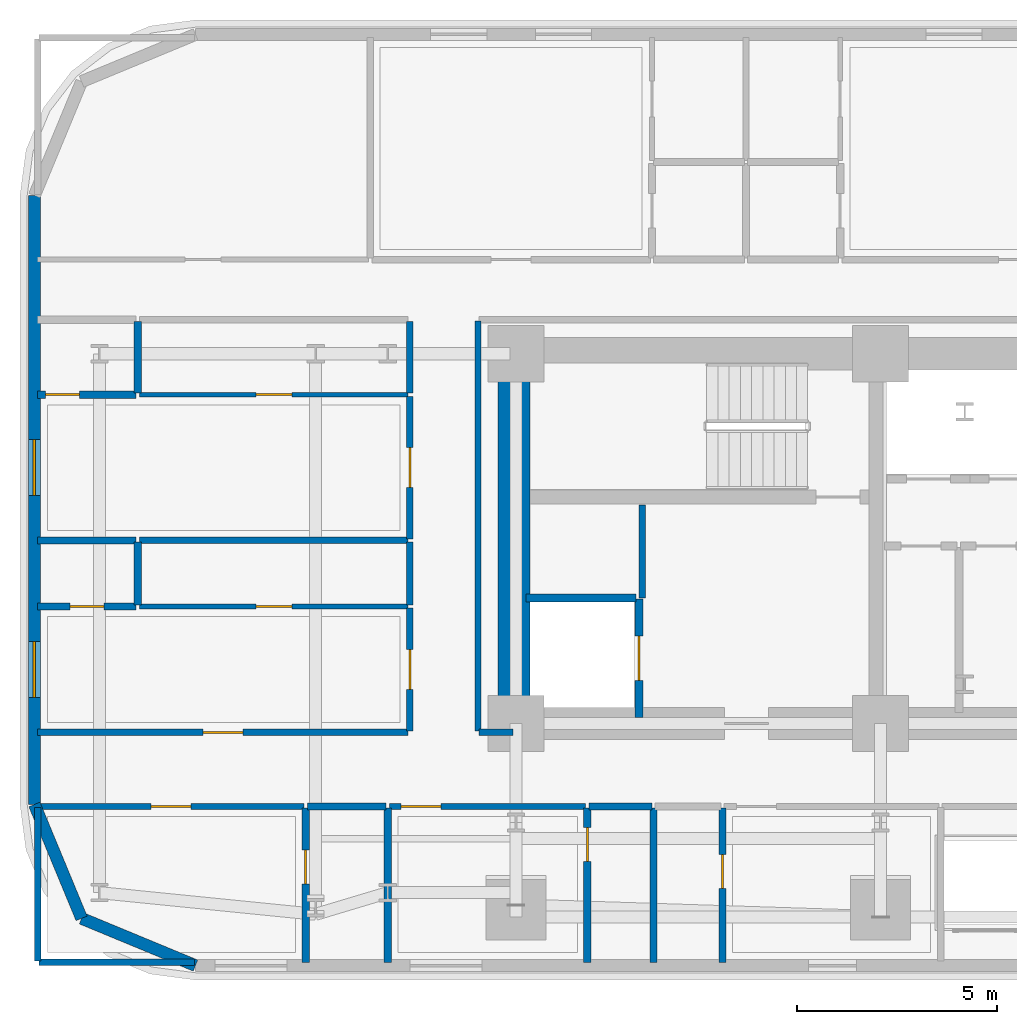
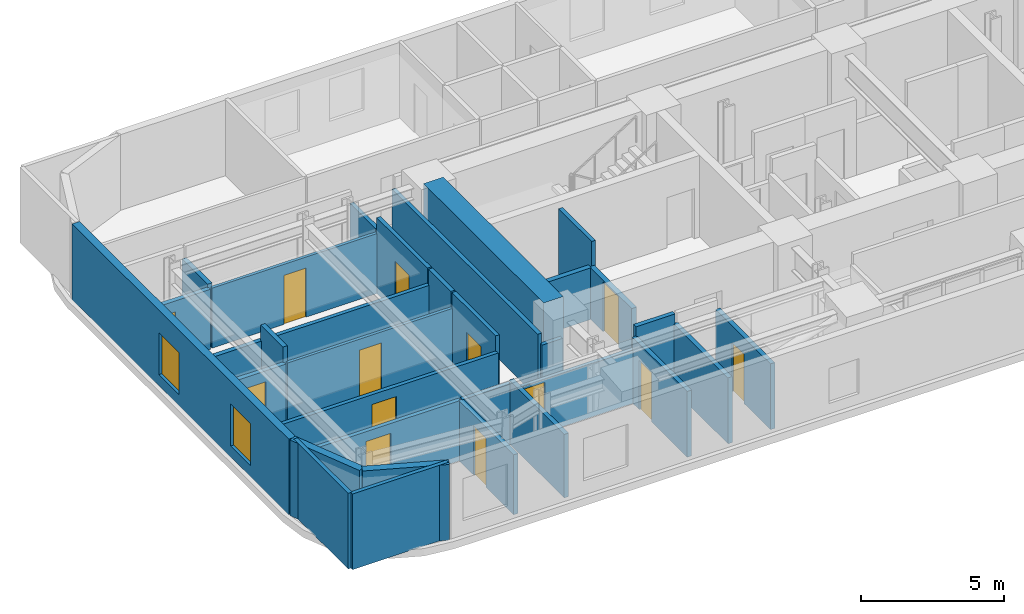
# One storey, part 7 of 16: 33 walls, 13 doors, 2 windows, 15 openings.
"""IFC4 building model written with IfcOpenShell, lengths in metres."""

from ifc_helpers import new_model, si_unit, direction, frame, frame_2d, origin, place, context, subcontext, project, spatial, rectangle, extrude, material, layer, layer_set, type_object, element, fill, save


model = new_model("IFC4")

# Units and contexts
model_context = context("Model", 3, precision=1e-05, world=origin(), true_north=direction((0.0, 1.0)))
body_context = subcontext(model_context, "Body", "Model", "MODEL_VIEW")
ifc_project = project(units=[si_unit("LENGTHUNIT", "METRE"), si_unit("AREAUNIT", "SQUARE_METRE"), si_unit("VOLUMEUNIT", "CUBIC_METRE"), si_unit("PLANEANGLEUNIT", "RADIAN"), si_unit("MASSUNIT", "GRAM", prefix="KILO")], contexts=[model_context])

# Site, building, storey
site_placement = place(None, origin())
site = spatial("IfcSite", under=ifc_project, at=site_placement, CompositionType="ELEMENT")
building_placement = place(site_placement, origin())
building = spatial("IfcBuilding", under=site, at=building_placement, Name="Zarnavel Station Tower", CompositionType="ELEMENT")
storey_placement = place(building_placement, frame((0.0, 0.0, 32.5)))
storey = spatial("IfcBuildingStorey", under=building, at=storey_placement, Name="L08", CompositionType="ELEMENT", Elevation=32.5)

# Wall
ifc_material_1 = material(Name="Concrete C60/75", Category="concrete")
ifc_layer_1 = layer(ifc_material_1, 0.800048828125)
ifc_layer_set_1 = layer_set([ifc_layer_1], Name="CW_800")
wall_type_1 = type_object("IfcWallType", Name="CW_800", PredefinedType="SHEAR", material=ifc_layer_set_1)
wall_1_placement = place(storey_placement, frame((12.14990234375, 28.219970703125, 0.0), z_axis=(0.0, 0.0, 1.0), x_axis=(0.0, 1.0, 0.0)))
element("IfcWall", 1, at=wall_1_placement, inside=storey, type_object=wall_type_1, Name="L08 Rear Core Shear Wall W", PredefinedType="SHEAR", context=body_context, shape_type="SweptSolid", body=[
    extrude(rectangle(XDim=8.429931640625, YDim=0.800048828125, at=frame_2d((4.21484375, 0.0))), origin(), (0.0, 0.0, 1.0), 3.5),
])

# Wall, openings, windows
ifc_material_2 = material(Name="Precast concrete C45/55 (Dark Basalt Finish)", Category="masonry")
ifc_layer_2 = layer(ifc_material_2, 0.300048828125)
ifc_layer_set_2 = layer_set([ifc_layer_2], Name="EW_BASALT_300")
wall_type_2 = type_object("IfcWallType", Name="EW_BASALT_300", PredefinedType="SOLIDWALL", material=ifc_layer_set_2)
wall_2_placement = place(storey_placement, frame((0.179931640625, 25.800048828125, 0.0), z_axis=(0.0, 0.0, 1.0), x_axis=(0.0, 1.0, 0.0)))
wall_2 = element("IfcWall", 2, at=wall_2_placement, inside=storey, type_object=wall_type_2, Name="L08 Exterior Basalt Masonry Frame Wall 09", PredefinedType="SOLIDWALL", context=body_context, shape_type="SweptSolid", body=[
    extrude(rectangle(XDim=15.199951171875, YDim=0.300048828125, at=frame_2d((7.60009765625, 0.0))), origin(), (0.0, 0.0, 1.0), 3.239990234375),
])
opening_1_placement = place(wall_2_placement, frame((2.67041015625, 0.0, 0.47998046875)))
opening_1 = element("IfcOpeningElement", 3, at=opening_1_placement, cuts=wall_2, Name="Opening WN01", PredefinedType="OPENING", context=body_context, shape_type="SweptSolid", body=[
    extrude(rectangle(XDim=1.39990234375, YDim=1.800048828125, at=frame_2d((0.699951171875, 0.89990234375))), frame((0.0, 0.159912109375, 0.0), z_axis=(0.0, -1.0, 0.0), x_axis=(1.0, 0.0, 0.0)), (0.0, 0.0, 1.0), 0.320068359375),
])
opening_2_placement = place(wall_2_placement, frame((7.708984375, 0.0, 0.47998046875)))
opening_2 = element("IfcOpeningElement", 4, at=opening_2_placement, cuts=wall_2, Name="Opening WN01", PredefinedType="OPENING", context=body_context, shape_type="SweptSolid", body=[
    extrude(rectangle(XDim=1.39990234375, YDim=1.800048828125, at=frame_2d((0.699951171875, 0.89990234375))), frame((0.0, 0.159912109375, 0.0), z_axis=(0.0, -1.0, 0.0), x_axis=(1.0, 0.0, 0.0)), (0.0, 0.0, 1.0), 0.320068359375),
])
ifc_material_3 = material(Name="Thermally Broken Black Aluminium and Low-E Dark Glass", Category="aluminium")
window_type = type_object("IfcWindowType", Name="WN_1400x1800", PartitioningType="DOUBLE_PANEL_VERTICAL", PredefinedType="WINDOW", material=ifc_material_3)
window_1_placement = place(opening_1_placement, origin())
window_1 = element("IfcWindow", 5, at=window_1_placement, inside=storey, type_object=window_type, Name="L08 Recessed Facade Window 01", OverallHeight=1.800048828125, OverallWidth=1.39990234375, PartitioningType="SINGLE_PANEL", PredefinedType="WINDOW", context=body_context, shape_type="SweptSolid", body=[
    extrude(rectangle(XDim=1.39990234375, YDim=1.800048828125, at=frame_2d((0.699951171875, 0.89990234375))), frame((0.0, 0.030029296875, 0.0), z_axis=(0.0, -1.0, 0.0), x_axis=(1.0, 0.0, 0.0)), (0.0, 0.0, 1.0), 0.06005859375),
])
fill(opening_1, window_1)
window_2_placement = place(opening_2_placement, origin())
window_2 = element("IfcWindow", 6, at=window_2_placement, inside=storey, type_object=window_type, Name="L08 Recessed Facade Window 02", OverallHeight=1.800048828125, OverallWidth=1.39990234375, PartitioningType="SINGLE_PANEL", PredefinedType="WINDOW", context=body_context, shape_type="SweptSolid", body=[
    extrude(rectangle(XDim=1.39990234375, YDim=1.800048828125, at=frame_2d((0.699951171875, 0.89990234375))), frame((0.0, 0.030029296875, 0.0), z_axis=(0.0, -1.0, 0.0), x_axis=(1.0, 0.0, 0.0)), (0.0, 0.0, 1.0), 0.06005859375),
])
fill(opening_2, window_2)

# Walls
for number, where, z_axis, x_axis, name in (
    (7, (1.357421875, 22.95751953125, 0.0), (0.0, 0.0, 1.0), (-0.382704529509, 0.923870793506, 0.0), "L08 Exterior Basalt Masonry Frame Wall 10"),
    (8, (4.199951171875, 21.780029296875, 0.0), (0.0, 0.0, 1.0), (-0.923870793506, 0.382704529509, 0.0), "L08 Exterior Basalt Masonry Frame Wall 11"),
):
    element("IfcWall", number, at=place(storey_placement, frame(where, z_axis=z_axis, x_axis=x_axis)), inside=storey, type_object=wall_type_2, Name=name, PredefinedType="SOLIDWALL", context=body_context, shape_type="SweptSolid", body=[
        extrude(rectangle(XDim=3.07666015625, YDim=0.300048828125, at=frame_2d((1.538330078125, 0.0))), origin(), (0.0, 0.0, 1.0), 3.239990234375),
    ])

# Wall, opening, door
ifc_material_4 = material(Name="Gypsum Twin-Stud Acoustic Fire Partition", Category="concrete")
ifc_layer_3 = layer(ifc_material_4, 0.159912109375)
ifc_layer_set_3 = layer_set([ifc_layer_3], Name="PT_DEMISE_160")
wall_type_3 = type_object("IfcWallType", Name="PT_DEMISE_160", PredefinedType="PARTITIONING", material=ifc_layer_set_3)
wall_3_placement = place(storey_placement, frame((0.260009765625, 27.60009765625, 0.0), z_axis=(0.0, 0.0, 1.0), x_axis=(1.0, 0.0, 0.0)))
wall_3 = element("IfcWall", 9, at=wall_3_placement, inside=storey, type_object=wall_type_3, Name="L08 Partition COR-S-FNW1R", PredefinedType="PARTITIONING", context=body_context, shape_type="SweptSolid", body=[
    extrude(rectangle(XDim=9.25, YDim=0.159912109375, at=frame_2d((4.625, 0.0))), origin(), (0.0, 0.0, 1.0), 2.570068359375),
])
opening_3_placement = place(wall_3_placement, frame((4.125, 0.0, 0.0)))
opening_3 = element("IfcOpeningElement", 10, at=opening_3_placement, cuts=wall_3, Name="Opening FD02", PredefinedType="OPENING", context=body_context, shape_type="SweptSolid", body=[
    extrude(rectangle(XDim=1.0, YDim=2.14990234375, at=frame_2d((0.5, 1.074951171875))), frame((0.0, 0.08984375, 0.0), z_axis=(0.0, -1.0, 0.0), x_axis=(1.0, 0.0, 0.0)), (0.0, 0.0, 1.0), 0.179931640625),
])
ifc_material_5 = material(Name="Painted Galvanised Steel and Hardwood Leaf", Category="steel")
door_type_1 = type_object("IfcDoorType", Name="ID_ENTRY_1000", OperationType="NOTDEFINED", PredefinedType="DOOR", material=ifc_material_5)
door_1_placement = place(opening_3_placement, origin())
door_1 = element("IfcDoor", 11, at=door_1_placement, inside=storey, type_object=door_type_1, Name="L08 Door COR-S-FNW1R", OperationType="SINGLE_SWING_LEFT", OverallHeight=2.14990234375, OverallWidth=1.0, PredefinedType="DOOR", context=body_context, shape_type="SweptSolid", body=[
    extrude(rectangle(XDim=1.0, YDim=2.14990234375, at=frame_2d((0.5, 1.074951171875))), frame((0.0, 0.02490234375, 0.0), z_axis=(0.0, -1.0, 0.0), x_axis=(1.0, 0.0, 0.0)), (0.0, 0.0, 1.0), 0.050048828125),
])
fill(opening_3, door_1)

wall_4_placement = place(storey_placement, frame((0.260009765625, 25.75, 0.0), z_axis=(0.0, 0.0, 1.0), x_axis=(1.0, 0.0, 0.0)))
wall_4 = element("IfcWall", 12, at=wall_4_placement, inside=storey, type_object=wall_type_3, Name="L08 Partition COR-S-HW1R", PredefinedType="PARTITIONING", context=body_context, shape_type="SweptSolid", body=[
    extrude(rectangle(XDim=6.64990234375, YDim=0.159912109375, at=frame_2d((3.324951171875, 0.0))), origin(), (0.0, 0.0, 1.0), 2.570068359375),
])
opening_4_placement = place(wall_4_placement, frame((2.824951171875, 0.0, 0.0)))
opening_4 = element("IfcOpeningElement", 13, at=opening_4_placement, cuts=wall_4, Name="Opening FD02", PredefinedType="OPENING", context=body_context, shape_type="SweptSolid", body=[
    extrude(rectangle(XDim=1.0, YDim=2.14990234375, at=frame_2d((0.5, 1.074951171875))), frame((0.0, 0.08984375, 0.0), z_axis=(0.0, -1.0, 0.0), x_axis=(1.0, 0.0, 0.0)), (0.0, 0.0, 1.0), 0.179931640625),
])
door_2_placement = place(opening_4_placement, origin())
door_2 = element("IfcDoor", 14, at=door_2_placement, inside=storey, type_object=door_type_1, Name="L08 Door COR-S-HW1R", OperationType="SINGLE_SWING_LEFT", OverallHeight=2.14990234375, OverallWidth=1.0, PredefinedType="DOOR", context=body_context, shape_type="SweptSolid", body=[
    extrude(rectangle(XDim=1.0, YDim=2.14990234375, at=frame_2d((0.5, 1.074951171875))), frame((0.0, 0.02490234375, 0.0), z_axis=(0.0, -1.0, 0.0), x_axis=(1.0, 0.0, 0.0)), (0.0, 0.0, 1.0), 0.050048828125),
])
fill(opening_4, door_2)

wall_5_placement = place(storey_placement, frame((9.0400390625, 25.75, 0.0), z_axis=(0.0, 0.0, 1.0), x_axis=(1.0, 0.0, 0.0)))
wall_5 = element("IfcWall", 15, at=wall_5_placement, inside=storey, type_object=wall_type_3, Name="L08 Partition COR-S-HW2R", PredefinedType="PARTITIONING", context=body_context, shape_type="SweptSolid", body=[
    extrude(rectangle(XDim=4.89892578125, YDim=0.159912109375, at=frame_2d((2.449462890625, 0.0))), origin(), (0.0, 0.0, 1.0), 2.280029296875),
])
opening_5_placement = place(wall_5_placement, frame((0.290771484375, 0.0, 0.0)))
opening_5 = element("IfcOpeningElement", 16, at=opening_5_placement, cuts=wall_5, Name="Opening FD02", PredefinedType="OPENING", context=body_context, shape_type="SweptSolid", body=[
    extrude(rectangle(XDim=1.0, YDim=2.14990234375, at=frame_2d((0.5, 1.074951171875))), frame((0.0, 0.08984375, 0.0), z_axis=(0.0, -1.0, 0.0), x_axis=(1.0, 0.0, 0.0)), (0.0, 0.0, 1.0), 0.179931640625),
])
door_3_placement = place(opening_5_placement, origin())
door_3 = element("IfcDoor", 17, at=door_3_placement, inside=storey, type_object=door_type_1, Name="L08 Door COR-S-HW2R", OperationType="SINGLE_SWING_RIGHT", OverallHeight=2.14990234375, OverallWidth=1.0, PredefinedType="DOOR", context=body_context, shape_type="SweptSolid", body=[
    extrude(rectangle(XDim=1.0, YDim=2.14990234375, at=frame_2d((0.5, 1.074951171875))), frame((0.0, 0.02490234375, 0.0), z_axis=(0.0, -1.0, 0.0), x_axis=(1.0, 0.0, 0.0)), (0.0, 0.0, 1.0), 0.050048828125),
])
fill(opening_5, door_3)

wall_6_placement = place(storey_placement, frame((9.550048828125, 27.639892578125, 0.0), z_axis=(0.0, 0.0, 1.0), x_axis=(0.0, 1.0, 0.0)))
wall_6 = element("IfcWall", 18, at=wall_6_placement, inside=storey, type_object=wall_type_3, Name="L08 Partition COR-W-FNW1R", PredefinedType="PARTITIONING", context=body_context, shape_type="SweptSolid", body=[
    extrude(rectangle(XDim=3.06103515625, YDim=0.159912109375, at=frame_2d((1.530517578125, 0.0))), origin(), (0.0, 0.0, 1.0), 3.239990234375),
])
opening_6_placement = place(wall_6_placement, frame((1.030517578125, 0.0, 0.0)))
opening_6 = element("IfcOpeningElement", 19, at=opening_6_placement, cuts=wall_6, Name="Opening FD02", PredefinedType="OPENING", context=body_context, shape_type="SweptSolid", body=[
    extrude(rectangle(XDim=1.0, YDim=2.14990234375, at=frame_2d((0.5, 1.074951171875))), frame((0.0, 0.08984375, 0.0), z_axis=(0.0, -1.0, 0.0), x_axis=(1.0, 0.0, 0.0)), (0.0, 0.0, 1.0), 0.179931640625),
])
door_4_placement = place(opening_6_placement, origin())
door_4 = element("IfcDoor", 20, at=door_4_placement, inside=storey, type_object=door_type_1, Name="L08 Door COR-W-FNW1R", OperationType="SINGLE_SWING_LEFT", OverallHeight=2.14990234375, OverallWidth=1.0, PredefinedType="DOOR", context=body_context, shape_type="SweptSolid", body=[
    extrude(rectangle(XDim=1.0, YDim=2.14990234375, at=frame_2d((0.5, 1.074951171875))), frame((0.0, 0.02490234375, 0.0), z_axis=(0.0, -1.0, 0.0), x_axis=(1.0, 0.0, 0.0)), (0.0, 0.0, 1.0), 0.050048828125),
])
fill(opening_6, door_4)

# Wall
wall_7_placement = place(storey_placement, frame((9.550048828125, 30.781005859375, 0.0), z_axis=(0.0, 0.0, 1.0), x_axis=(0.0, 1.0, 0.0)))
element("IfcWall", 21, at=wall_7_placement, inside=storey, type_object=wall_type_3, Name="L08 Partition COR-W-FNW1S", PredefinedType="PARTITIONING", context=body_context, shape_type="SweptSolid", body=[
    extrude(rectangle(XDim=1.570068359375, YDim=0.159912109375, at=frame_2d((0.78515625, 0.0))), origin(), (0.0, 0.0, 1.0), 3.239990234375),
])

# Wall, opening, door
wall_8_placement = place(storey_placement, frame((9.550048828125, 32.430908203125, 0.0), z_axis=(0.0, 0.0, 1.0), x_axis=(0.0, 1.0, 0.0)))
wall_8 = element("IfcWall", 22, at=wall_8_placement, inside=storey, type_object=wall_type_3, Name="L08 Partition COR-W-FNW2R", PredefinedType="PARTITIONING", context=body_context, shape_type="SweptSolid", body=[
    extrude(rectangle(XDim=3.55615234375, YDim=0.159912109375, at=frame_2d((1.778076171875, 0.0))), origin(), (0.0, 0.0, 1.0), 3.239990234375),
])
opening_7_placement = place(wall_8_placement, frame((1.278076171875, 0.0, 0.0)))
opening_7 = element("IfcOpeningElement", 23, at=opening_7_placement, cuts=wall_8, Name="Opening FD02", PredefinedType="OPENING", context=body_context, shape_type="SweptSolid", body=[
    extrude(rectangle(XDim=1.0, YDim=2.14990234375, at=frame_2d((0.5, 1.074951171875))), frame((0.0, 0.08984375, 0.0), z_axis=(0.0, -1.0, 0.0), x_axis=(1.0, 0.0, 0.0)), (0.0, 0.0, 1.0), 0.179931640625),
])
door_5_placement = place(opening_7_placement, origin())
door_5 = element("IfcDoor", 24, at=door_5_placement, inside=storey, type_object=door_type_1, Name="L08 Door COR-W-FNW2R", OperationType="SINGLE_SWING_RIGHT", OverallHeight=2.14990234375, OverallWidth=1.0, PredefinedType="DOOR", context=body_context, shape_type="SweptSolid", body=[
    extrude(rectangle(XDim=1.0, YDim=2.14990234375, at=frame_2d((0.5, 1.074951171875))), frame((0.0, 0.02490234375, 0.0), z_axis=(0.0, -1.0, 0.0), x_axis=(1.0, 0.0, 0.0)), (0.0, 0.0, 1.0), 0.050048828125),
])
fill(opening_7, door_5)

# Walls
wall_9_placement = place(storey_placement, frame((9.550048828125, 36.06689453125, 0.0), z_axis=(0.0, 0.0, 1.0), x_axis=(0.0, 1.0, 0.0)))
element("IfcWall", 25, at=wall_9_placement, inside=storey, type_object=wall_type_3, Name="L08 Partition COR-W-FNW2S", PredefinedType="PARTITIONING", context=body_context, shape_type="SweptSolid", body=[
    extrude(rectangle(XDim=1.793212890625, YDim=0.159912109375, at=frame_2d((0.896484375, 0.0))), origin(), (0.0, 0.0, 1.0), 2.719970703125),
])
wall_10_placement = place(storey_placement, frame((2.800048828125, 32.39111328125, 0.0), z_axis=(0.0, 0.0, 1.0), x_axis=(1.0, 0.0, 0.0)))
element("IfcWall", 26, at=wall_10_placement, inside=storey, type_object=wall_type_3, Name="L08 Partition FNW1S-FNW2R", PredefinedType="PARTITIONING", context=body_context, shape_type="SweptSolid", body=[
    extrude(rectangle(XDim=6.7099609375, YDim=0.159912109375, at=frame_2d((3.35498046875, 0.0))), origin(), (0.0, 0.0, 1.0), 2.570068359375),
])
wall_11_placement = place(storey_placement, frame((15.35009765625, 30.9599609375, 0.0), z_axis=(0.0, 0.0, 1.0), x_axis=(0.0, 1.0, 0.0)))
element("IfcWall", 27, at=wall_11_placement, inside=storey, type_object=wall_type_3, Name="L08 Enclosure Wall FFL1", PredefinedType="PARTITIONING", context=body_context, shape_type="SweptSolid", body=[
    extrude(rectangle(XDim=2.31005859375, YDim=0.159912109375, at=frame_2d((1.155029296875, 0.0))), origin(), (0.0, 0.0, 1.0), 3.239990234375),
])
wall_12_placement = place(storey_placement, frame((11.280029296875, 27.60009765625, 0.0), z_axis=(0.0, 0.0, 1.0), x_axis=(1.0, 0.0, 0.0)))
element("IfcWall", 28, at=wall_12_placement, inside=storey, type_object=wall_type_3, Name="L08 Enclosure Wall COR-S", PredefinedType="PARTITIONING", context=body_context, shape_type="SweptSolid", body=[
    extrude(rectangle(XDim=0.840087890625, YDim=0.159912109375, at=frame_2d((0.419921875, 0.0))), origin(), (0.0, 0.0, 1.0), 2.280029296875),
])
wall_13_placement = place(storey_placement, frame((11.25, 27.6298828125, 0.0), z_axis=(0.0, 0.0, 1.0), x_axis=(0.0, 1.0, 0.0)))
element("IfcWall", 29, at=wall_13_placement, inside=storey, type_object=wall_type_3, Name="L08 Enclosure Wall COR-W", PredefinedType="PARTITIONING", context=body_context, shape_type="SweptSolid", body=[
    extrude(rectangle(XDim=10.240234375, YDim=0.159912109375, at=frame_2d((5.1201171875, 0.0))), origin(), (0.0, 0.0, 1.0), 2.719970703125),
])
wall_14_placement = place(storey_placement, frame((0.2900390625, 21.860107421875, 0.0), z_axis=(0.0, 0.0, 1.0), x_axis=(1.0, 0.0, 0.0)))
element("IfcWall", 30, at=wall_14_placement, inside=storey, type_object=wall_type_3, Name="L08 Enclosure Wall HW1R", PredefinedType="PARTITIONING", context=body_context, shape_type="SweptSolid", body=[
    extrude(rectangle(XDim=3.8798828125, YDim=0.159912109375, at=frame_2d((1.93994140625, 0.0))), origin(), (0.0, 0.0, 1.0), 3.239990234375),
])
wall_15_placement = place(storey_placement, frame((0.260009765625, 21.889892578125, 0.0), z_axis=(0.0, 0.0, 1.0), x_axis=(0.0, 1.0, 0.0)))
element("IfcWall", 31, at=wall_15_placement, inside=storey, type_object=wall_type_3, Name="L08 Enclosure Wall HW1R", PredefinedType="PARTITIONING", context=body_context, shape_type="SweptSolid", body=[
    extrude(rectangle(XDim=3.830078125, YDim=0.159912109375, at=frame_2d((1.9150390625, 0.0))), origin(), (0.0, 0.0, 1.0), 3.239990234375),
])

# Wall, opening, door
ifc_material_6 = material(Name="Gypsum Metal-Stud Interior Partition", Category="concrete")
ifc_layer_4 = layer(ifc_material_6, 0.1201171875)
ifc_layer_set_4 = layer_set([ifc_layer_4], Name="PT_ROOM_120")
wall_type_4 = type_object("IfcWallType", Name="PT_ROOM_120", PredefinedType="PARTITIONING", material=ifc_layer_set_4)
wall_16_placement = place(storey_placement, frame((2.800048828125, 30.740966796875, 0.0), z_axis=(0.0, 0.0, 1.0), x_axis=(1.0, 0.0, 0.0)))
wall_16 = element("IfcWall", 32, at=wall_16_placement, inside=storey, type_object=wall_type_4, Name="L08 Partition FNW1R-FNW1S", PredefinedType="PARTITIONING", context=body_context, shape_type="SweptSolid", body=[
    extrude(rectangle(XDim=6.7099609375, YDim=0.1201171875, at=frame_2d((3.35498046875, 0.0))), origin(), (0.0, 0.0, 1.0), 2.570068359375),
])
opening_8_placement = place(wall_16_placement, frame((2.905029296875, 0.0, 0.0)))
opening_8 = element("IfcOpeningElement", 33, at=opening_8_placement, cuts=wall_16, Name="Opening ID01", PredefinedType="OPENING", context=body_context, shape_type="SweptSolid", body=[
    extrude(rectangle(XDim=0.89990234375, YDim=2.10009765625, at=frame_2d((0.449951171875, 1.050048828125))), frame((0.0, 0.070068359375, 0.0), z_axis=(0.0, -1.0, 0.0), x_axis=(1.0, 0.0, 0.0)), (0.0, 0.0, 1.0), 0.14013671875),
])
ifc_material_7 = material(Name="Painted Galvanised Steel and Hardwood Leaf", Category="steel")
door_type_2 = type_object("IfcDoorType", Name="ID_ROOM_900", OperationType="NOTDEFINED", PredefinedType="DOOR", material=ifc_material_7)
door_6_placement = place(opening_8_placement, origin())
door_6 = element("IfcDoor", 34, at=door_6_placement, inside=storey, type_object=door_type_2, Name="L08 Door FNW1R-FNW1S", OperationType="SINGLE_SWING_RIGHT", OverallHeight=2.10009765625, OverallWidth=0.89990234375, PredefinedType="DOOR", context=body_context, shape_type="SweptSolid", body=[
    extrude(rectangle(XDim=0.89990234375, YDim=2.10009765625, at=frame_2d((0.449951171875, 1.050048828125))), frame((0.0, 0.02490234375, 0.0), z_axis=(0.0, -1.0, 0.0), x_axis=(1.0, 0.0, 0.0)), (0.0, 0.0, 1.0), 0.050048828125),
])
fill(opening_8, door_6)

wall_17_placement = place(storey_placement, frame((2.800048828125, 36.027099609375, 0.0), z_axis=(0.0, 0.0, 1.0), x_axis=(1.0, 0.0, 0.0)))
wall_17 = element("IfcWall", 35, at=wall_17_placement, inside=storey, type_object=wall_type_4, Name="L08 Partition FNW2R-FNW2S", PredefinedType="PARTITIONING", context=body_context, shape_type="SweptSolid", body=[
    extrude(rectangle(XDim=6.7099609375, YDim=0.1201171875, at=frame_2d((3.35498046875, 0.0))), origin(), (0.0, 0.0, 1.0), 2.570068359375),
])
opening_9_placement = place(wall_17_placement, frame((2.905029296875, 0.0, 0.0)))
opening_9 = element("IfcOpeningElement", 36, at=opening_9_placement, cuts=wall_17, Name="Opening ID01", PredefinedType="OPENING", context=body_context, shape_type="SweptSolid", body=[
    extrude(rectangle(XDim=0.89990234375, YDim=2.10009765625, at=frame_2d((0.449951171875, 1.050048828125))), frame((0.0, 0.070068359375, 0.0), z_axis=(0.0, -1.0, 0.0), x_axis=(1.0, 0.0, 0.0)), (0.0, 0.0, 1.0), 0.14013671875),
])
door_7_placement = place(opening_9_placement, origin())
door_7 = element("IfcDoor", 37, at=door_7_placement, inside=storey, type_object=door_type_2, Name="L08 Door FNW2R-FNW2S", OperationType="SINGLE_SWING_RIGHT", OverallHeight=2.10009765625, OverallWidth=0.89990234375, PredefinedType="DOOR", context=body_context, shape_type="SweptSolid", body=[
    extrude(rectangle(XDim=0.89990234375, YDim=2.10009765625, at=frame_2d((0.449951171875, 1.050048828125))), frame((0.0, 0.02490234375, 0.0), z_axis=(0.0, -1.0, 0.0), x_axis=(1.0, 0.0, 0.0)), (0.0, 0.0, 1.0), 0.050048828125),
])
fill(opening_9, door_7)

ifc_material_8 = material(Name="Precast concrete C45/55 (Fire Shaft Blockwork)", Category="masonry")
ifc_layer_5 = layer(ifc_material_8, 0.199951171875)
ifc_layer_set_5 = layer_set([ifc_layer_5], Name="PT_SHAFT_200")
wall_type_5 = type_object("IfcWallType", Name="PT_SHAFT_200", PredefinedType="PARTITIONING", material=ifc_layer_set_5)
wall_18_placement = place(storey_placement, frame((15.27001953125, 27.969970703125, 0.0), z_axis=(0.0, 0.0, 1.0), x_axis=(0.0, 1.0, 0.0)))
wall_18 = element("IfcWall", 38, at=wall_18_placement, inside=storey, type_object=wall_type_5, Name="L08 Lift FFL-01 Shaft Front Wall", PredefinedType="PARTITIONING", context=body_context, shape_type="SweptSolid", body=[
    extrude(rectangle(XDim=2.9599609375, YDim=0.199951171875, at=frame_2d((1.47998046875, 0.0))), origin(), (0.0, 0.0, 1.0), 2.2119140625),
])
opening_10_placement = place(wall_18_placement, frame((0.929931640625, 0.0, 0.0)))
opening_10 = element("IfcOpeningElement", 39, at=opening_10_placement, cuts=wall_18, Name="Opening LD01", PredefinedType="OPENING", context=body_context, shape_type="SweptSolid", body=[
    extrude(rectangle(XDim=1.10009765625, YDim=2.14990234375, at=frame_2d((0.550048828125, 1.074951171875))), frame((0.0, 0.10986328125, 0.0), z_axis=(0.0, -1.0, 0.0), x_axis=(1.0, 0.0, 0.0)), (0.0, 0.0, 1.0), 0.219970703125),
])
ifc_material_9 = material(Name="Painted Galvanised Steel and Hardwood Leaf", Category="steel")
door_type_3 = type_object("IfcDoorType", Name="LD_FF_1100", OperationType="DOUBLE_DOOR_SLIDING", PredefinedType="DOOR", material=ifc_material_9)
door_8_placement = place(opening_10_placement, origin())
door_8 = element("IfcDoor", 40, at=door_8_placement, inside=storey, type_object=door_type_3, Name="L08 Lift FFL-01 Sliding Landing Door", OperationType="DOUBLE_DOOR_SLIDING", OverallHeight=2.14990234375, OverallWidth=1.10009765625, PredefinedType="DOOR", context=body_context, shape_type="SweptSolid", body=[
    extrude(rectangle(XDim=1.10009765625, YDim=2.14990234375, at=frame_2d((0.550048828125, 1.074951171875))), frame((0.0, 0.02490234375, 0.0), z_axis=(0.0, -1.0, 0.0), x_axis=(1.0, 0.0, 0.0)), (0.0, 0.0, 1.0), 0.050048828125),
])
fill(opening_10, door_8)

# Walls
wall_19_placement = place(storey_placement, frame((12.449951171875, 30.949951171875, 0.0), z_axis=(0.0, 0.0, 1.0), x_axis=(1.0, 0.0, 0.0)))
element("IfcWall", 41, at=wall_19_placement, inside=storey, type_object=wall_type_5, Name="L08 Lift FFL-01 North Shaft Wall", PredefinedType="PARTITIONING", context=body_context, shape_type="SweptSolid", body=[
    extrude(rectangle(XDim=2.75, YDim=0.199951171875, at=frame_2d((1.375, 0.0))), origin(), (0.0, 0.0, 1.0), 2.2119140625),
])
ifc_material_10 = material(Name="Moisture-Resistant Plumbing Chase Wall", Category="concrete")
ifc_layer_6 = layer(ifc_material_10, 0.179931640625)
ifc_layer_set_6 = layer_set([ifc_layer_6], Name="PW_PLUMB_180")
wall_type_6 = type_object("IfcWallType", Name="PW_PLUMB_180", PredefinedType="PLUMBINGWALL", material=ifc_layer_set_6)
wall_20_placement = place(storey_placement, frame((6.989990234375, 25.75, 0.0), z_axis=(0.0, 0.0, 1.0), x_axis=(1.0, 0.0, 0.0)))
element("IfcWall", 42, at=wall_20_placement, inside=storey, type_object=wall_type_6, Name="L08 Partition COR-S-HW1B", PredefinedType="PLUMBINGWALL", context=body_context, shape_type="SweptSolid", body=[
    extrude(rectangle(XDim=1.969970703125, YDim=0.179931640625, at=frame_2d((0.98486328125, 0.0))), origin(), (0.0, 0.0, 1.0), 2.570068359375),
])
wall_21_placement = place(storey_placement, frame((14.01904296875, 25.75, 0.0), z_axis=(0.0, 0.0, 1.0), x_axis=(1.0, 0.0, 0.0)))
element("IfcWall", 43, at=wall_21_placement, inside=storey, type_object=wall_type_6, Name="L08 Partition COR-S-HW2B", PredefinedType="PLUMBINGWALL", context=body_context, shape_type="SweptSolid", body=[
    extrude(rectangle(XDim=1.570068359375, YDim=0.179931640625, at=frame_2d((0.78515625, 0.0))), origin(), (0.0, 0.0, 1.0), 3.239990234375),
])

# Wall, opening, door
wall_22_placement = place(storey_placement, frame((0.260009765625, 30.740966796875, 0.0), z_axis=(0.0, 0.0, 1.0), x_axis=(1.0, 0.0, 0.0)))
wall_22 = element("IfcWall", 44, at=wall_22_placement, inside=storey, type_object=wall_type_6, Name="L08 Partition FNW1R-FNW1B", PredefinedType="PLUMBINGWALL", context=body_context, shape_type="SweptSolid", body=[
    extrude(rectangle(XDim=2.4599609375, YDim=0.179931640625, at=frame_2d((1.22998046875, 0.0))), origin(), (0.0, 0.0, 1.0), 2.570068359375),
])
opening_11_placement = place(wall_22_placement, frame((0.804931640625, 0.0, 0.0)))
opening_11 = element("IfcOpeningElement", 45, at=opening_11_placement, cuts=wall_22, Name="Opening ID02", PredefinedType="OPENING", context=body_context, shape_type="SweptSolid", body=[
    extrude(rectangle(XDim=0.85009765625, YDim=2.10009765625, at=frame_2d((0.425048828125, 1.050048828125))), frame((0.0, 0.099853515625, 0.0), z_axis=(0.0, -1.0, 0.0), x_axis=(1.0, 0.0, 0.0)), (0.0, 0.0, 1.0), 0.199951171875),
])
ifc_material_11 = material(Name="Painted Galvanised Steel and Hardwood Leaf", Category="steel")
door_type_4 = type_object("IfcDoorType", Name="ID_BATH_850", OperationType="NOTDEFINED", PredefinedType="DOOR", material=ifc_material_11)
door_9_placement = place(opening_11_placement, origin())
door_9 = element("IfcDoor", 46, at=door_9_placement, inside=storey, type_object=door_type_4, Name="L08 Door FNW1R-FNW1B", OperationType="SINGLE_SWING_LEFT", OverallHeight=2.10009765625, OverallWidth=0.85009765625, PredefinedType="DOOR", context=body_context, shape_type="SweptSolid", body=[
    extrude(rectangle(XDim=0.85009765625, YDim=2.10009765625, at=frame_2d((0.425048828125, 1.050048828125))), frame((0.0, 0.02490234375, 0.0), z_axis=(0.0, -1.0, 0.0), x_axis=(1.0, 0.0, 0.0)), (0.0, 0.0, 1.0), 0.050048828125),
])
fill(opening_11, door_9)

# Walls
wall_23_placement = place(storey_placement, frame((2.760009765625, 30.781005859375, 0.0), z_axis=(0.0, 0.0, 1.0), x_axis=(0.0, 1.0, 0.0)))
element("IfcWall", 47, at=wall_23_placement, inside=storey, type_object=wall_type_6, Name="L08 Partition FNW1B-FNW1S", PredefinedType="PLUMBINGWALL", context=body_context, shape_type="SweptSolid", body=[
    extrude(rectangle(XDim=1.570068359375, YDim=0.179931640625, at=frame_2d((0.78515625, 0.0))), origin(), (0.0, 0.0, 1.0), 3.239990234375),
])
wall_24_placement = place(storey_placement, frame((0.260009765625, 32.39111328125, 0.0), z_axis=(0.0, 0.0, 1.0), x_axis=(1.0, 0.0, 0.0)))
element("IfcWall", 48, at=wall_24_placement, inside=storey, type_object=wall_type_6, Name="L08 Partition FNW1B-FNW2R", PredefinedType="PLUMBINGWALL", context=body_context, shape_type="SweptSolid", body=[
    extrude(rectangle(XDim=2.4599609375, YDim=0.179931640625, at=frame_2d((1.22998046875, 0.0))), origin(), (0.0, 0.0, 1.0), 2.570068359375),
])

# Wall, opening, door
wall_25_placement = place(storey_placement, frame((0.260009765625, 36.027099609375, 0.0), z_axis=(0.0, 0.0, 1.0), x_axis=(1.0, 0.0, 0.0)))
wall_25 = element("IfcWall", 49, at=wall_25_placement, inside=storey, type_object=wall_type_6, Name="L08 Partition FNW2R-FNW2B", PredefinedType="PLUMBINGWALL", context=body_context, shape_type="SweptSolid", body=[
    extrude(rectangle(XDim=2.4599609375, YDim=0.179931640625, at=frame_2d((1.22998046875, 0.0))), origin(), (0.0, 0.0, 1.0), 2.570068359375),
])
opening_12_placement = place(wall_25_placement, frame((0.1953125, 0.0, 0.0)))
opening_12 = element("IfcOpeningElement", 50, at=opening_12_placement, cuts=wall_25, Name="Opening ID02", PredefinedType="OPENING", context=body_context, shape_type="SweptSolid", body=[
    extrude(rectangle(XDim=0.85009765625, YDim=2.10009765625, at=frame_2d((0.425048828125, 1.050048828125))), frame((0.0, 0.099853515625, 0.0), z_axis=(0.0, -1.0, 0.0), x_axis=(1.0, 0.0, 0.0)), (0.0, 0.0, 1.0), 0.199951171875),
])
door_10_placement = place(opening_12_placement, origin())
door_10 = element("IfcDoor", 51, at=door_10_placement, inside=storey, type_object=door_type_4, Name="L08 Door FNW2R-FNW2B", OperationType="SINGLE_SWING_LEFT", OverallHeight=2.10009765625, OverallWidth=0.85009765625, PredefinedType="DOOR", context=body_context, shape_type="SweptSolid", body=[
    extrude(rectangle(XDim=0.85009765625, YDim=2.10009765625, at=frame_2d((0.425048828125, 1.050048828125))), frame((0.0, 0.02490234375, 0.0), z_axis=(0.0, -1.0, 0.0), x_axis=(1.0, 0.0, 0.0)), (0.0, 0.0, 1.0), 0.050048828125),
])
fill(opening_12, door_10)

# Wall
wall_26_placement = place(storey_placement, frame((2.760009765625, 36.06689453125, 0.0), z_axis=(0.0, 0.0, 1.0), x_axis=(0.0, 1.0, 0.0)))
element("IfcWall", 52, at=wall_26_placement, inside=storey, type_object=wall_type_6, Name="L08 Partition FNW2B-FNW2S", PredefinedType="PLUMBINGWALL", context=body_context, shape_type="SweptSolid", body=[
    extrude(rectangle(XDim=1.793212890625, YDim=0.179931640625, at=frame_2d((0.896484375, 0.0))), origin(), (0.0, 0.0, 1.0), 2.719970703125),
])

# Wall, opening, door
wall_27_placement = place(storey_placement, frame((6.949951171875, 21.860107421875, 0.0), z_axis=(0.0, 0.0, 1.0), x_axis=(0.0, 1.0, 0.0)))
wall_27 = element("IfcWall", 53, at=wall_27_placement, inside=storey, type_object=wall_type_6, Name="L08 Partition HW1R-HW1B", PredefinedType="PLUMBINGWALL", context=body_context, shape_type="SweptSolid", body=[
    extrude(rectangle(XDim=3.849853515625, YDim=0.179931640625, at=frame_2d((1.9248046875, 0.0))), origin(), (0.0, 0.0, 1.0), 2.570068359375),
])
opening_13_placement = place(wall_27_placement, frame((1.953369140625, 0.0, 0.0)))
opening_13 = element("IfcOpeningElement", 54, at=opening_13_placement, cuts=wall_27, Name="Opening ID02", PredefinedType="OPENING", context=body_context, shape_type="SweptSolid", body=[
    extrude(rectangle(XDim=0.85009765625, YDim=2.10009765625, at=frame_2d((0.425048828125, 1.050048828125))), frame((0.0, 0.099853515625, 0.0), z_axis=(0.0, -1.0, 0.0), x_axis=(1.0, 0.0, 0.0)), (0.0, 0.0, 1.0), 0.199951171875),
])
door_11_placement = place(opening_13_placement, origin())
door_11 = element("IfcDoor", 55, at=door_11_placement, inside=storey, type_object=door_type_4, Name="L08 Door HW1R-HW1B", OperationType="SINGLE_SWING_LEFT", OverallHeight=2.10009765625, OverallWidth=0.85009765625, PredefinedType="DOOR", context=body_context, shape_type="SweptSolid", body=[
    extrude(rectangle(XDim=0.85009765625, YDim=2.10009765625, at=frame_2d((0.425048828125, 1.050048828125))), frame((0.0, 0.02490234375, 0.0), z_axis=(0.0, -1.0, 0.0), x_axis=(1.0, 0.0, 0.0)), (0.0, 0.0, 1.0), 0.050048828125),
])
fill(opening_13, door_11)

# Wall
wall_28_placement = place(storey_placement, frame((9.0, 21.860107421875, 0.0), z_axis=(0.0, 0.0, 1.0), x_axis=(0.0, 1.0, 0.0)))
element("IfcWall", 56, at=wall_28_placement, inside=storey, type_object=wall_type_6, Name="L08 Partition HW1B-HW2R", PredefinedType="PLUMBINGWALL", context=body_context, shape_type="SweptSolid", body=[
    extrude(rectangle(XDim=3.849853515625, YDim=0.179931640625, at=frame_2d((1.9248046875, 0.0))), origin(), (0.0, 0.0, 1.0), 2.719970703125),
])

# Wall, opening, door
wall_29_placement = place(storey_placement, frame((13.97900390625, 21.860107421875, 0.0), z_axis=(0.0, 0.0, 1.0), x_axis=(0.0, 1.0, 0.0)))
wall_29 = element("IfcWall", 57, at=wall_29_placement, inside=storey, type_object=wall_type_6, Name="L08 Partition HW2R-HW2B", PredefinedType="PLUMBINGWALL", context=body_context, shape_type="SweptSolid", body=[
    extrude(rectangle(XDim=3.849853515625, YDim=0.179931640625, at=frame_2d((1.9248046875, 0.0))), origin(), (0.0, 0.0, 1.0), 2.820068359375),
])
opening_14_placement = place(wall_29_placement, frame((2.52001953125, 0.0, 0.0)))
opening_14 = element("IfcOpeningElement", 58, at=opening_14_placement, cuts=wall_29, Name="Opening ID02", PredefinedType="OPENING", context=body_context, shape_type="SweptSolid", body=[
    extrude(rectangle(XDim=0.85009765625, YDim=2.10009765625, at=frame_2d((0.425048828125, 1.050048828125))), frame((0.0, 0.099853515625, 0.0), z_axis=(0.0, -1.0, 0.0), x_axis=(1.0, 0.0, 0.0)), (0.0, 0.0, 1.0), 0.199951171875),
])
door_12_placement = place(opening_14_placement, origin())
door_12 = element("IfcDoor", 59, at=door_12_placement, inside=storey, type_object=door_type_4, Name="L08 Door HW2R-HW2B", OperationType="SINGLE_SWING_RIGHT", OverallHeight=2.10009765625, OverallWidth=0.85009765625, PredefinedType="DOOR", context=body_context, shape_type="SweptSolid", body=[
    extrude(rectangle(XDim=0.85009765625, YDim=2.10009765625, at=frame_2d((0.425048828125, 1.050048828125))), frame((0.0, 0.02490234375, 0.0), z_axis=(0.0, -1.0, 0.0), x_axis=(1.0, 0.0, 0.0)), (0.0, 0.0, 1.0), 0.050048828125),
])
fill(opening_14, door_12)

# Wall
wall_30_placement = place(storey_placement, frame((15.62890625, 21.860107421875, 0.0), z_axis=(0.0, 0.0, 1.0), x_axis=(0.0, 1.0, 0.0)))
element("IfcWall", 60, at=wall_30_placement, inside=storey, type_object=wall_type_6, Name="L08 Partition HW2B-HW3B", PredefinedType="PLUMBINGWALL", context=body_context, shape_type="SweptSolid", body=[
    extrude(rectangle(XDim=3.849853515625, YDim=0.179931640625, at=frame_2d((1.9248046875, 0.0))), origin(), (0.0, 0.0, 1.0), 2.820068359375),
])

# Wall, opening, door
wall_31_placement = place(storey_placement, frame((17.35009765625, 21.860107421875, 0.0), z_axis=(0.0, 0.0, 1.0), x_axis=(0.0, 1.0, 0.0)))
wall_31 = element("IfcWall", 61, at=wall_31_placement, inside=storey, type_object=wall_type_6, Name="L08 Partition HW3R-HW3B", PredefinedType="PLUMBINGWALL", context=body_context, shape_type="SweptSolid", body=[
    extrude(rectangle(XDim=3.849853515625, YDim=0.179931640625, at=frame_2d((1.9248046875, 0.0))), origin(), (0.0, 0.0, 1.0), 2.820068359375),
])
opening_15_placement = place(wall_31_placement, frame((1.840087890625, 0.0, 0.0)))
opening_15 = element("IfcOpeningElement", 62, at=opening_15_placement, cuts=wall_31, Name="Opening ID02", PredefinedType="OPENING", context=body_context, shape_type="SweptSolid", body=[
    extrude(rectangle(XDim=0.85009765625, YDim=2.10009765625, at=frame_2d((0.425048828125, 1.050048828125))), frame((0.0, 0.099853515625, 0.0), z_axis=(0.0, -1.0, 0.0), x_axis=(1.0, 0.0, 0.0)), (0.0, 0.0, 1.0), 0.199951171875),
])
door_13_placement = place(opening_15_placement, origin())
door_13 = element("IfcDoor", 63, at=door_13_placement, inside=storey, type_object=door_type_4, Name="L08 Door HW3R-HW3B", OperationType="SINGLE_SWING_LEFT", OverallHeight=2.10009765625, OverallWidth=0.85009765625, PredefinedType="DOOR", context=body_context, shape_type="SweptSolid", body=[
    extrude(rectangle(XDim=0.85009765625, YDim=2.10009765625, at=frame_2d((0.425048828125, 1.050048828125))), frame((0.0, 0.02490234375, 0.0), z_axis=(0.0, -1.0, 0.0), x_axis=(1.0, 0.0, 0.0)), (0.0, 0.0, 1.0), 0.050048828125),
])
fill(opening_15, door_13)

save(model, "model.ifc")
